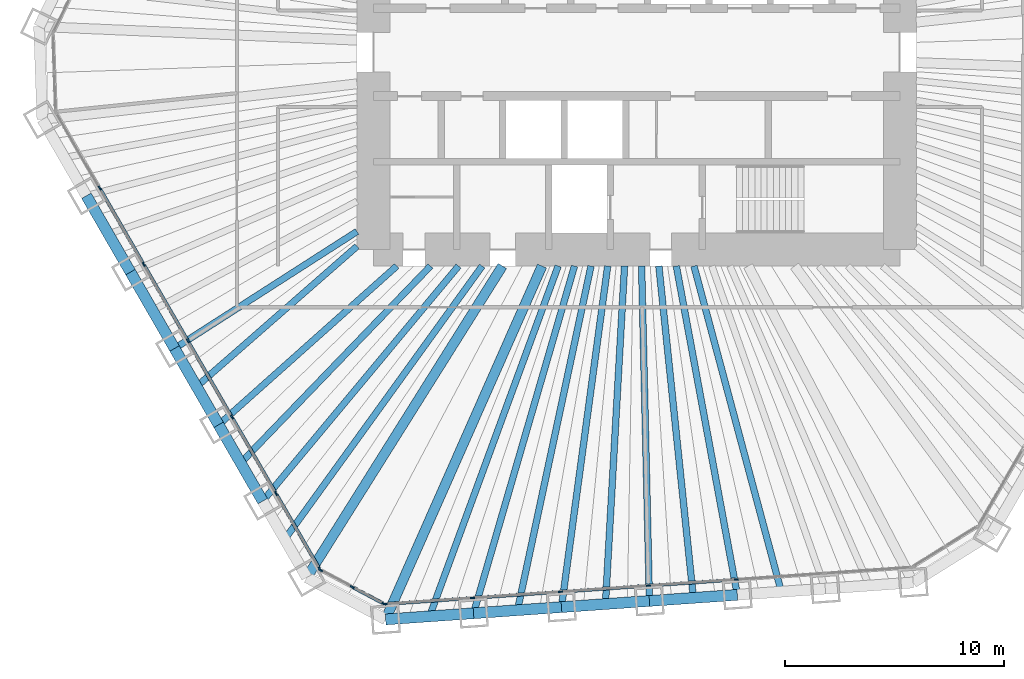
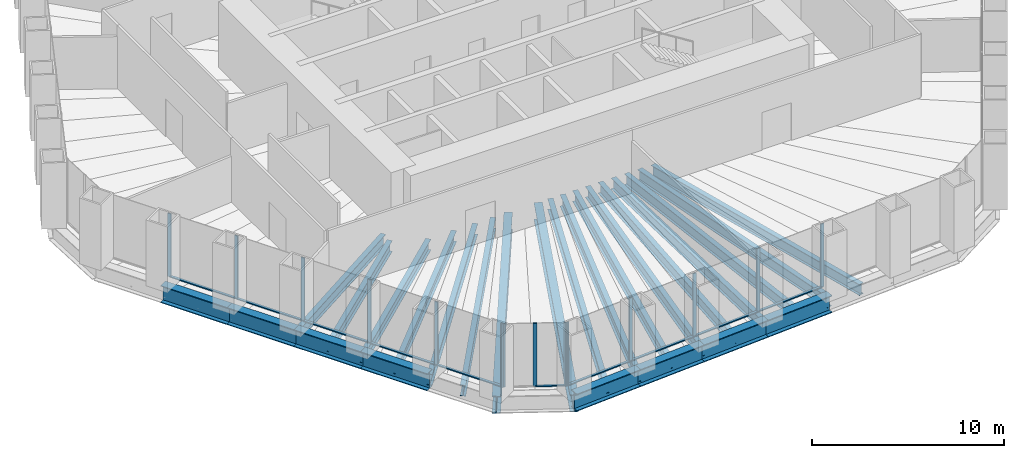
# One storey, part 2 of 13: 25 beams, 24 members, 3 elements without a shape of their own.
"""IFC4 building model written with IfcOpenShell, lengths in metres."""

from ifc_helpers import new_model, si_unit, direction, frame, origin, origin_2d, place, context, subcontext, project, spatial, rectangle, i_section, extrude, material, material_profile, profile_set, type_object, element, aggregate, save


model = new_model("IFC4")

# Units and contexts
model_context = context("Model", 3, precision=1e-05, world=origin(), true_north=direction((0.0, 1.0)))
body_context = subcontext(model_context, "Body", "Model", "MODEL_VIEW")
ifc_project = project(units=[si_unit("LENGTHUNIT", "METRE"), si_unit("AREAUNIT", "SQUARE_METRE"), si_unit("VOLUMEUNIT", "CUBIC_METRE"), si_unit("PLANEANGLEUNIT", "RADIAN"), si_unit("MASSUNIT", "GRAM", prefix="KILO")], contexts=[model_context])

# Site, building, storey
site_placement = place(None, origin())
site = spatial("IfcSite", under=ifc_project, at=site_placement, CompositionType="ELEMENT")
building_placement = place(site_placement, origin())
building = spatial("IfcBuilding", under=site, at=building_placement, Name="Qingtian Harvest Tower", CompositionType="ELEMENT")
storey_placement = place(building_placement, frame((0.0, 0.0, 136.60009765625)))
storey = spatial("IfcBuildingStorey", under=building, at=storey_placement, Name="L28", CompositionType="ELEMENT", Elevation=136.60009765625)

# Beams
ifc_material_1 = material(Name="Steel SM570MC", Category="steel")
ifc_material_profile_1 = material_profile(ifc_material_1, i_section(OverallWidth=0.449951171875, OverallDepth=1.10009765625, WebThickness=0.02197265625, FlangeThickness=0.044921875, at=origin_2d()), Name="H1100x450x22x45")
ifc_profile_set_1 = profile_set([ifc_material_profile_1], Name="Steel SM570MC")
beam_type_1 = type_object("IfcBeamType", Name="Corner floor beam FB8 H1100x450x22x45", PredefinedType="BEAM", material=ifc_profile_set_1)
beam_1_placement = place(storey_placement, frame((-11.445556640625, -25.861328125, -0.72021484375), z_axis=(0.404705702755, 0.914446988161, 0.0), x_axis=(-0.914446988161, 0.404705702755, 0.0)))
element("IfcBeam", 1, at=beam_1_placement, inside=storey, type_object=beam_type_1, Name="Floor beam FB8 S6", PredefinedType="BEAM", context=body_context, shape_type="SweptSolid", body=[
    extrude(i_section(OverallWidth=0.449951171875, OverallDepth=1.10009765625, WebThickness=0.02197265625, FlangeThickness=0.044921875, at=origin_2d()), origin(), (0.0, 0.0, 1.0), 17.61865234375),
])
beam_2_placement = place(storey_placement, frame((-15.039794921875, -23.950439453125, -0.72021484375), z_axis=(0.531797274443, 0.846871689747, 0.0), x_axis=(-0.846871689747, 0.531797274443, 0.0)))
element("IfcBeam", 2, at=beam_2_placement, inside=storey, type_object=beam_type_1, Name="Floor beam FB8 SW0", PredefinedType="BEAM", context=body_context, shape_type="SweptSolid", body=[
    extrude(i_section(OverallWidth=0.449951171875, OverallDepth=1.10009765625, WebThickness=0.02197265625, FlangeThickness=0.044921875, at=origin_2d()), origin(), (0.0, 0.0, 1.0), 16.76806640625),
])
ifc_material_2 = material(Name="Steel SN490B", Category="steel")
ifc_material_profile_2 = material_profile(ifc_material_2, i_section(OverallWidth=0.300048828125, OverallDepth=0.75, WebThickness=0.013916015625, FlangeThickness=0.02490234375, at=origin_2d()), Name="H750x300x14x25")
ifc_profile_set_2 = profile_set([ifc_material_profile_2], Name="Steel SN490B")
beam_type_2 = type_object("IfcBeamType", Name="Floor beam FB12 H750x300x14x25", PredefinedType="BEAM", material=ifc_profile_set_2)
beam_3_placement = place(storey_placement, frame((-7.436279296875, -25.5810546875, -0.545166015625), z_axis=(0.279142362954, 0.960249728562, 0.0), x_axis=(-0.960249728562, 0.279142362954, 0.0)))
element("IfcBeam", 3, at=beam_3_placement, inside=storey, type_object=beam_type_2, Name="Floor beam FB12 S5", PredefinedType="BEAM", context=body_context, shape_type="SweptSolid", body=[
    extrude(i_section(OverallWidth=0.300048828125, OverallDepth=0.75, WebThickness=0.013916015625, FlangeThickness=0.02490234375, at=origin_2d()), origin(), (0.0, 0.0, 1.0), 16.486328125),
])
ifc_material_3 = material(Name="Steel SN490B", Category="steel")
ifc_material_profile_3 = material_profile(ifc_material_3, i_section(OverallWidth=0.300048828125, OverallDepth=0.699951171875, WebThickness=0.012939453125, FlangeThickness=0.02392578125, at=origin_2d()), Name="H700x300x13x24")
ifc_profile_set_3 = profile_set([ifc_material_profile_3], Name="Steel SN490B")
beam_type_3 = type_object("IfcBeamType", Name="Floor beam FB2 H700x300x13x24", PredefinedType="BEAM", material=ifc_profile_set_3)
beam_4_placement = place(storey_placement, frame((4.591552734375, -24.739990234375, -0.52001953125), z_axis=(-0.182473442032, 0.983210782565, 0.0), x_axis=(-0.983210782565, -0.182473442032, 0.0)))
element("IfcBeam", 4, at=beam_4_placement, inside=storey, type_object=beam_type_3, Name="Floor beam FB2 S2", PredefinedType="BEAM", context=body_context, shape_type="SweptSolid", body=[
    extrude(i_section(OverallWidth=0.300048828125, OverallDepth=0.699951171875, WebThickness=0.012939453125, FlangeThickness=0.02392578125, at=origin_2d()), origin(), (0.0, 0.0, 1.0), 15.245849609375),
])
beam_5_placement = place(storey_placement, frame((0.582275390625, -25.020263671875, -0.52001953125), z_axis=(-0.023272189962, 0.999729165912, 0.0), x_axis=(-0.999729165912, -0.023272189962, 0.0)))
element("IfcBeam", 5, at=beam_5_placement, inside=storey, type_object=beam_type_3, Name="Floor beam FB2 S3", PredefinedType="BEAM", context=body_context, shape_type="SweptSolid", body=[
    extrude(i_section(OverallWidth=0.300048828125, OverallDepth=0.699951171875, WebThickness=0.012939453125, FlangeThickness=0.02392578125, at=origin_2d()), origin(), (0.0, 0.0, 1.0), 15.2744140625),
])
beam_6_placement = place(storey_placement, frame((-3.427001953125, -25.30078125, -0.52001953125), z_axis=(0.134230066005, 0.990950195207, 0.0), x_axis=(-0.990950195207, 0.134230066005, 0.0)))
element("IfcBeam", 6, at=beam_6_placement, inside=storey, type_object=beam_type_3, Name="Floor beam FB2 S4", PredefinedType="BEAM", context=body_context, shape_type="SweptSolid", body=[
    extrude(i_section(OverallWidth=0.300048828125, OverallDepth=0.699951171875, WebThickness=0.012939453125, FlangeThickness=0.02392578125, at=origin_2d()), origin(), (0.0, 0.0, 1.0), 15.69287109375),
])
beam_7_placement = place(storey_placement, frame((-17.04931640625, -20.4697265625, -0.52001953125), z_axis=(0.639988150605, 0.768384778015, 0.0), x_axis=(-0.768384778015, 0.639988150605, 0.0)))
element("IfcBeam", 7, at=beam_7_placement, inside=storey, type_object=beam_type_3, Name="Floor beam FB2 SW1", PredefinedType="BEAM", context=body_context, shape_type="SweptSolid", body=[
    extrude(i_section(OverallWidth=0.300048828125, OverallDepth=0.699951171875, WebThickness=0.012939453125, FlangeThickness=0.02392578125, at=origin_2d()), origin(), (0.0, 0.0, 1.0), 13.950927734375),
])
beam_8_placement = place(storey_placement, frame((-19.058837890625, -16.989013671875, -0.52001953125), z_axis=(0.746483707908, 0.665403692376, 0.0), x_axis=(-0.665403692376, 0.746483707908, 0.0)))
element("IfcBeam", 8, at=beam_8_placement, inside=storey, type_object=beam_type_3, Name="Floor beam FB2 SW2", PredefinedType="BEAM", context=body_context, shape_type="SweptSolid", body=[
    extrude(i_section(OverallWidth=0.300048828125, OverallDepth=0.699951171875, WebThickness=0.012939453125, FlangeThickness=0.02392578125, at=origin_2d()), origin(), (0.0, 0.0, 1.0), 10.879150390625),
])
beam_9_placement = place(storey_placement, frame((-21.068359375, -13.508544921875, -0.52001953125), z_axis=(0.841823295753, 0.539753220211, 0.0), x_axis=(-0.539753220211, 0.841823295753, 0.0)))
element("IfcBeam", 9, at=beam_9_placement, inside=storey, type_object=beam_type_3, Name="Floor beam FB2 SW3", PredefinedType="BEAM", context=body_context, shape_type="SweptSolid", body=[
    extrude(i_section(OverallWidth=0.300048828125, OverallDepth=0.699951171875, WebThickness=0.012939453125, FlangeThickness=0.02392578125, at=origin_2d()), origin(), (0.0, 0.0, 1.0), 9.88134765625),
])
ifc_material_4 = material(Name="Steel SN490B", Category="steel")
ifc_material_profile_4 = material_profile(ifc_material_4, i_section(OverallWidth=0.300048828125, OverallDepth=0.699951171875, WebThickness=0.012939453125, FlangeThickness=0.02392578125, at=origin_2d()), Name="H700x300x13x24")
ifc_profile_set_4 = profile_set([ifc_material_profile_4], Name="Steel SN490B")
beam_type_4 = type_object("IfcBeamType", Name="Floor joist J2 H700x300x13x24", PredefinedType="JOIST", material=ifc_profile_set_4)
beam_10_placement = place(storey_placement, frame((6.59619140625, -24.599853515625, -0.52001953125), z_axis=(-0.258996688759, 0.965878209306, 0.0), x_axis=(-0.965878209306, -0.258996688759, 0.0)))
element("IfcBeam", 10, at=beam_10_placement, inside=storey, type_object=beam_type_4, Name="Floor joist J2 S1", PredefinedType="JOIST", context=body_context, shape_type="SweptSolid", body=[
    extrude(i_section(OverallWidth=0.300048828125, OverallDepth=0.699951171875, WebThickness=0.012939453125, FlangeThickness=0.02392578125, at=origin_2d()), origin(), (0.0, 0.0, 1.0), 15.37451171875),
])
beam_11_placement = place(storey_placement, frame((2.5869140625, -24.880126953125, -0.52001953125), z_axis=(-0.103423163361, 0.994637446148, 0.0), x_axis=(-0.994637446148, -0.103423163361, 0.0)))
element("IfcBeam", 11, at=beam_11_placement, inside=storey, type_object=beam_type_4, Name="Floor joist J2 S2", PredefinedType="JOIST", context=body_context, shape_type="SweptSolid", body=[
    extrude(i_section(OverallWidth=0.300048828125, OverallDepth=0.699951171875, WebThickness=0.012939453125, FlangeThickness=0.02392578125, at=origin_2d()), origin(), (0.0, 0.0, 1.0), 15.211669921875),
])
beam_12_placement = place(storey_placement, frame((-1.42236328125, -25.160400390625, -0.52001953125), z_axis=(0.05643626267, 0.998406204035, 0.0), x_axis=(-0.998406204035, 0.05643626267, 0.0)))
element("IfcBeam", 12, at=beam_12_placement, inside=storey, type_object=beam_type_4, Name="Floor joist J2 S3", PredefinedType="JOIST", context=body_context, shape_type="SweptSolid", body=[
    extrude(i_section(OverallWidth=0.300048828125, OverallDepth=0.699951171875, WebThickness=0.012939453125, FlangeThickness=0.02392578125, at=origin_2d()), origin(), (0.0, 0.0, 1.0), 15.43505859375),
])
beam_13_placement = place(storey_placement, frame((-5.431640625, -25.44091796875, -0.52001953125), z_axis=(0.208799533611, 0.977958462699, 0.0), x_axis=(-0.977958462699, 0.208799533611, 0.0)))
element("IfcBeam", 13, at=beam_13_placement, inside=storey, type_object=beam_type_4, Name="Floor joist J2 S4", PredefinedType="JOIST", context=body_context, shape_type="SweptSolid", body=[
    extrude(i_section(OverallWidth=0.300048828125, OverallDepth=0.699951171875, WebThickness=0.012939453125, FlangeThickness=0.02392578125, at=origin_2d()), origin(), (0.0, 0.0, 1.0), 16.044677734375),
])
beam_14_placement = place(storey_placement, frame((-9.44091796875, -25.72119140625, -0.52001953125), z_axis=(0.344563279886, 0.938763093732, 0.0), x_axis=(-0.938763093732, 0.344563279886, 0.0)))
element("IfcBeam", 14, at=beam_14_placement, inside=storey, type_object=beam_type_4, Name="Floor joist J2 S5", PredefinedType="JOIST", context=body_context, shape_type="SweptSolid", body=[
    extrude(i_section(OverallWidth=0.300048828125, OverallDepth=0.699951171875, WebThickness=0.012939453125, FlangeThickness=0.02392578125, at=origin_2d()), origin(), (0.0, 0.0, 1.0), 17.012939453125),
])
beam_15_placement = place(storey_placement, frame((-16.04443359375, -22.2099609375, -0.52001953125), z_axis=(0.585581016658, 0.810613886465, 0.0), x_axis=(-0.810613886465, 0.585581016658, 0.0)))
element("IfcBeam", 15, at=beam_15_placement, inside=storey, type_object=beam_type_4, Name="Floor joist J2 SW0", PredefinedType="JOIST", context=body_context, shape_type="SweptSolid", body=[
    extrude(i_section(OverallWidth=0.300048828125, OverallDepth=0.699951171875, WebThickness=0.012939453125, FlangeThickness=0.02392578125, at=origin_2d()), origin(), (0.0, 0.0, 1.0), 15.37109375),
])
beam_16_placement = place(storey_placement, frame((-18.053955078125, -18.7294921875, -0.52001953125), z_axis=(0.693999346894, 0.719975629108, 0.0), x_axis=(-0.719975629108, 0.693999346894, 0.0)))
element("IfcBeam", 16, at=beam_16_placement, inside=storey, type_object=beam_type_4, Name="Floor joist J2 SW1", PredefinedType="JOIST", context=body_context, shape_type="SweptSolid", body=[
    extrude(i_section(OverallWidth=0.300048828125, OverallDepth=0.699951171875, WebThickness=0.012939453125, FlangeThickness=0.02392578125, at=origin_2d()), origin(), (0.0, 0.0, 1.0), 12.471923828125),
])
beam_17_placement = place(storey_placement, frame((-20.063720703125, -15.248779296875, -0.52001953125), z_axis=(0.752618713562, 0.658456583228, 0.0), x_axis=(-0.658456583228, 0.752618713562, 0.0)))
element("IfcBeam", 17, at=beam_17_placement, inside=storey, type_object=beam_type_4, Name="Floor joist J2 SW2", PredefinedType="JOIST", context=body_context, shape_type="SweptSolid", body=[
    extrude(i_section(OverallWidth=0.300048828125, OverallDepth=0.699951171875, WebThickness=0.012939453125, FlangeThickness=0.02392578125, at=origin_2d()), origin(), (0.0, 0.0, 1.0), 9.7177734375),
])

# Curtain wall, members
ifc_material_5 = material(Name="Bronze-anodised aluminium curtain wall", Category="aluminium")
curtain_wall_type = type_object("IfcCurtainWallType", Name="Curtain wall CW4 office", PredefinedType="USERDEFINED", material=ifc_material_5)
curtain_wall_1_placement = place(storey_placement, origin())
curtain_wall_1 = element("IfcCurtainWall", 18, at=curtain_wall_1_placement, inside=storey, type_object=curtain_wall_type, Name="Curtain wall CW4 L28 S0-5", ObjectType="RECESSED CURTAIN WALL", PredefinedType="USERDEFINED")
ifc_material_6 = material(Name="Bronze-anodised aluminium mullion", Category="aluminium")
ifc_material_profile_5 = material_profile(ifc_material_6, rectangle(XDim=0.06494140625, YDim=0.199951171875, at=origin_2d()), Name="AL 65x200")
ifc_profile_set_5 = profile_set([ifc_material_profile_5], Name="Bronze-anodised aluminium mullion")
member_type_1 = type_object("IfcMemberType", Name="Mullion CWM 65x200", PredefinedType="MULLION", material=ifc_profile_set_5)
member_1_placement = place(storey_placement, frame((4.542724609375, -24.041748046875, 0.0), z_axis=(0.0, 0.0, 1.0), x_axis=(0.069756473744, -0.99756405026, 0.0)))
member_1 = element("IfcMember", 19, at=member_1_placement, type_object=member_type_1, Name="CW4 mullion 3", PredefinedType="MULLION", context=body_context, shape_type="SweptSolid", body=[
    extrude(rectangle(XDim=0.06494140625, YDim=0.199951171875, at=origin_2d()), origin(), (0.0, 0.0, 1.0), 4.02978515625),
])
member_2_placement = place(storey_placement, frame((0.533447265625, -24.322021484375, 0.0), z_axis=(0.0, 0.0, 1.0), x_axis=(0.069756473744, -0.99756405026, 0.0)))
member_2 = element("IfcMember", 20, at=member_2_placement, type_object=member_type_1, Name="CW4 mullion 4", PredefinedType="MULLION", context=body_context, shape_type="SweptSolid", body=[
    extrude(rectangle(XDim=0.06494140625, YDim=0.199951171875, at=origin_2d()), origin(), (0.0, 0.0, 1.0), 4.02978515625),
])
member_3_placement = place(storey_placement, frame((-3.475830078125, -24.602294921875, 0.0), z_axis=(0.0, 0.0, 1.0), x_axis=(0.069756473744, -0.99756405026, 0.0)))
member_3 = element("IfcMember", 21, at=member_3_placement, type_object=member_type_1, Name="CW4 mullion 5", PredefinedType="MULLION", context=body_context, shape_type="SweptSolid", body=[
    extrude(rectangle(XDim=0.06494140625, YDim=0.199951171875, at=origin_2d()), origin(), (0.0, 0.0, 1.0), 4.02978515625),
])
member_4_placement = place(storey_placement, frame((-7.485107421875, -24.8828125, 0.0), z_axis=(0.0, 0.0, 1.0), x_axis=(0.069756473744, -0.99756405026, 0.0)))
member_4 = element("IfcMember", 22, at=member_4_placement, type_object=member_type_1, Name="CW4 mullion 6", PredefinedType="MULLION", context=body_context, shape_type="SweptSolid", body=[
    extrude(rectangle(XDim=0.06494140625, YDim=0.199951171875, at=origin_2d()), origin(), (0.0, 0.0, 1.0), 4.02978515625),
])
member_5_placement = place(storey_placement, frame((-11.4619140625, -25.160888671875, 0.0), z_axis=(0.0, 0.0, 1.0), x_axis=(0.069756473744, -0.99756405026, 0.0)))
member_5 = element("IfcMember", 23, at=member_5_placement, type_object=member_type_1, Name="CW4 mullion 7", PredefinedType="MULLION", context=body_context, shape_type="SweptSolid", body=[
    extrude(rectangle(XDim=0.06494140625, YDim=0.199951171875, at=origin_2d()), origin(), (0.0, 0.0, 1.0), 4.02978515625),
])

curtain_wall_2_placement = place(storey_placement, origin())
curtain_wall_2 = element("IfcCurtainWall", 24, at=curtain_wall_2_placement, inside=storey, type_object=curtain_wall_type, Name="Curtain wall CW4 L28 SC", ObjectType="RECESSED CURTAIN WALL", PredefinedType="USERDEFINED")
member_6_placement = place(storey_placement, frame((-11.523193359375, -25.14794921875, 0.0), z_axis=(0.0, 0.0, 1.0), x_axis=(-0.469471562786, -0.882947592859, 0.0)))
member_6 = element("IfcMember", 25, at=member_6_placement, type_object=member_type_1, Name="CW4 mullion 1", PredefinedType="MULLION", context=body_context, shape_type="SweptSolid", body=[
    extrude(rectangle(XDim=0.06494140625, YDim=0.199951171875, at=origin_2d()), origin(), (0.0, 0.0, 1.0), 4.02978515625),
])
member_7_placement = place(storey_placement, frame((-12.964111328125, -24.3818359375, 0.0), z_axis=(0.0, 0.0, 1.0), x_axis=(-0.469471562786, -0.882947592859, 0.0)))
member_7 = element("IfcMember", 26, at=member_7_placement, type_object=member_type_1, Name="CW4 mullion 2", PredefinedType="MULLION", context=body_context, shape_type="SweptSolid", body=[
    extrude(rectangle(XDim=0.06494140625, YDim=0.199951171875, at=origin_2d()), origin(), (0.0, 0.0, 1.0), 4.02978515625),
])
member_8_placement = place(storey_placement, frame((-14.40478515625, -23.61572265625, 0.0), z_axis=(0.0, 0.0, 1.0), x_axis=(-0.469471562786, -0.882947592859, 0.0)))
member_8 = element("IfcMember", 27, at=member_8_placement, type_object=member_type_1, Name="CW4 mullion 3", PredefinedType="MULLION", context=body_context, shape_type="SweptSolid", body=[
    extrude(rectangle(XDim=0.06494140625, YDim=0.199951171875, at=origin_2d()), origin(), (0.0, 0.0, 1.0), 4.02978515625),
])

curtain_wall_3_placement = place(storey_placement, origin())
curtain_wall_3 = element("IfcCurtainWall", 28, at=curtain_wall_3_placement, inside=storey, type_object=curtain_wall_type, Name="Curtain wall CW4 L28 SW0-5", ObjectType="RECESSED CURTAIN WALL", PredefinedType="USERDEFINED")
member_9_placement = place(storey_placement, frame((-14.44970703125, -23.572265625, 0.0), z_axis=(0.0, 0.0, 1.0), x_axis=(-0.866025403784, -0.5, 0.0)))
member_9 = element("IfcMember", 29, at=member_9_placement, type_object=member_type_1, Name="CW4 mullion 1", PredefinedType="MULLION", context=body_context, shape_type="SweptSolid", body=[
    extrude(rectangle(XDim=0.06494140625, YDim=0.199951171875, at=origin_2d()), origin(), (0.0, 0.0, 1.0), 4.02978515625),
])
member_10_placement = place(storey_placement, frame((-16.443115234375, -20.11962890625, 0.0), z_axis=(0.0, 0.0, 1.0), x_axis=(-0.866025403784, -0.5, 0.0)))
member_10 = element("IfcMember", 30, at=member_10_placement, type_object=member_type_1, Name="CW4 mullion 2", PredefinedType="MULLION", context=body_context, shape_type="SweptSolid", body=[
    extrude(rectangle(XDim=0.06494140625, YDim=0.199951171875, at=origin_2d()), origin(), (0.0, 0.0, 1.0), 4.02978515625),
])
member_11_placement = place(storey_placement, frame((-18.45263671875, -16.63916015625, 0.0), z_axis=(0.0, 0.0, 1.0), x_axis=(-0.866025403784, -0.5, 0.0)))
member_11 = element("IfcMember", 31, at=member_11_placement, type_object=member_type_1, Name="CW4 mullion 3", PredefinedType="MULLION", context=body_context, shape_type="SweptSolid", body=[
    extrude(rectangle(XDim=0.06494140625, YDim=0.199951171875, at=origin_2d()), origin(), (0.0, 0.0, 1.0), 4.02978515625),
])
member_12_placement = place(storey_placement, frame((-20.462158203125, -13.158447265625, 0.0), z_axis=(0.0, 0.0, 1.0), x_axis=(-0.866025403784, -0.5, 0.0)))
member_12 = element("IfcMember", 32, at=member_12_placement, type_object=member_type_1, Name="CW4 mullion 4", PredefinedType="MULLION", context=body_context, shape_type="SweptSolid", body=[
    extrude(rectangle(XDim=0.06494140625, YDim=0.199951171875, at=origin_2d()), origin(), (0.0, 0.0, 1.0), 4.02978515625),
])
member_13_placement = place(storey_placement, frame((-22.4716796875, -9.677978515625, 0.0), z_axis=(0.0, 0.0, 1.0), x_axis=(-0.866025403784, -0.5, 0.0)))
member_13 = element("IfcMember", 33, at=member_13_placement, type_object=member_type_1, Name="CW4 mullion 5", PredefinedType="MULLION", context=body_context, shape_type="SweptSolid", body=[
    extrude(rectangle(XDim=0.06494140625, YDim=0.199951171875, at=origin_2d()), origin(), (0.0, 0.0, 1.0), 4.02978515625),
])
member_14_placement = place(storey_placement, frame((-24.481201171875, -6.197265625, 0.0), z_axis=(0.0, 0.0, 1.0), x_axis=(-0.866025403784, -0.5, 0.0)))
member_14 = element("IfcMember", 34, at=member_14_placement, type_object=member_type_1, Name="CW4 mullion 6", PredefinedType="MULLION", context=body_context, shape_type="SweptSolid", body=[
    extrude(rectangle(XDim=0.06494140625, YDim=0.199951171875, at=origin_2d()), origin(), (0.0, 0.0, 1.0), 4.02978515625),
])

# Beams
ifc_material_7 = material(Name="Steel SM570MC", Category="steel")
ifc_material_profile_6 = material_profile(ifc_material_7, i_section(OverallWidth=0.5, OverallDepth=1.10009765625, WebThickness=0.02490234375, FlangeThickness=0.050048828125, at=origin_2d()), Name="H1100x500x25x50")
ifc_profile_set_6 = profile_set([ifc_material_profile_6], Name="Steel SM570MC")
beam_type_5 = type_object("IfcBeamType", Name="Spandrel beam SB2 H1100x500x25x50", PredefinedType="SPANDREL", material=ifc_profile_set_6)
for number, where, z_axis, x_axis, name in (
    (35, (4.591552734375, -24.739990234375, -0.550048828125), (-0.997565479251, -0.069736035208, 0.0), (0.069736035208, -0.997565479251, 0.0), "Spandrel SB2 S2"),
    (36, (0.582275390625, -25.020263671875, -0.550048828125), (-0.997561251588, -0.069796485086, 0.0), (0.069796485086, -0.997561251588, 0.0), "Spandrel SB2 S3"),
    (37, (-3.427001953125, -25.30078125, -0.550048828125), (-0.997565479251, -0.069736035208, 0.0), (0.069736035208, -0.997565479251, 0.0), "Spandrel SB2 S4"),
    (38, (-7.436279296875, -25.5810546875, -0.550048828125), (-0.997565479251, -0.069736035208, 0.0), (0.069736035208, -0.997565479251, 0.0), "Spandrel SB2 S5"),
    (39, (-17.04931640625, -20.4697265625, -0.550048828125), (-0.499987116613, 0.866032841884, 0.0), (-0.866032841884, -0.499987116613, 0.0), "Spandrel SB2 SW1"),
    (40, (-19.058837890625, -16.989013671875, -0.550048828125), (-0.500013420409, 0.866017655369, 0.0), (-0.866017655369, -0.500013420409, 0.0), "Spandrel SB2 SW2"),
    (41, (-21.068359375, -13.508544921875, -0.550048828125), (-0.499987116613, 0.866032841884, 0.0), (-0.866032841884, -0.499987116613, 0.0), "Spandrel SB2 SW3"),
    (42, (-23.077880859375, -10.02783203125, -0.550048828125), (-0.499987116613, 0.866032841884, 0.0), (-0.866032841884, -0.499987116613, 0.0), "Spandrel SB2 SW4"),
):
    element("IfcBeam", number, at=place(storey_placement, frame(where, z_axis=z_axis, x_axis=x_axis)), inside=storey, type_object=beam_type_5, Name=name, PredefinedType="SPANDREL", context=body_context, shape_type="SweptSolid", body=[
        extrude(i_section(OverallWidth=0.5, OverallDepth=1.10009765625, WebThickness=0.02490234375, FlangeThickness=0.050048828125, at=origin_2d()), origin(), (0.0, 0.0, 1.0), 4.01904296875),
    ])

# Member
ifc_material_8 = material(Name="Bronze-anodised aluminium transom", Category="aluminium")
ifc_material_profile_7 = material_profile(ifc_material_8, rectangle(XDim=0.14990234375, YDim=0.06494140625, at=origin_2d()), Name="AL 65x150")
ifc_profile_set_7 = profile_set([ifc_material_profile_7], Name="Bronze-anodised aluminium transom")
member_type_2 = type_object("IfcMemberType", Name="Transom CWT 65x150", PredefinedType="USERDEFINED", material=ifc_profile_set_7)
member_15_placement = place(storey_placement, frame((4.51025390625, -24.0439453125, 0.032470703125), z_axis=(-0.997562922571, -0.069772598571, 0.0), x_axis=(0.069772598571, -0.997562922571, 0.0)))
member_15 = element("IfcMember", 43, at=member_15_placement, type_object=member_type_2, Name="CW4 transom 3.1", ObjectType="TRANSOM", PredefinedType="USERDEFINED", context=body_context, shape_type="SweptSolid", body=[
    extrude(rectangle(XDim=0.14990234375, YDim=0.06494140625, at=origin_2d()), origin(), (0.0, 0.0, 1.0), 3.953857421875),
])

member_16_placement = place(storey_placement, frame((0.5009765625, -24.32421875, 0.032470703125), z_axis=(-0.997562922571, -0.069772598571, 0.0), x_axis=(0.069772598571, -0.997562922571, 0.0)))
member_16 = element("IfcMember", 44, at=member_16_placement, type_object=member_type_2, Name="CW4 transom 4.1", ObjectType="TRANSOM", PredefinedType="USERDEFINED", context=body_context, shape_type="SweptSolid", body=[
    extrude(rectangle(XDim=0.14990234375, YDim=0.06494140625, at=origin_2d()), origin(), (0.0, 0.0, 1.0), 3.953857421875),
])

member_17_placement = place(storey_placement, frame((-3.50830078125, -24.604736328125, 0.032470703125), z_axis=(-0.997567218353, -0.069711153102, 0.0), x_axis=(0.069711153102, -0.997567218353, 0.0)))
member_17 = element("IfcMember", 45, at=member_17_placement, type_object=member_type_2, Name="CW4 transom 5.1", ObjectType="TRANSOM", PredefinedType="USERDEFINED", context=body_context, shape_type="SweptSolid", body=[
    extrude(rectangle(XDim=0.14990234375, YDim=0.06494140625, at=origin_2d()), origin(), (0.0, 0.0, 1.0), 3.953857421875),
])

member_18_placement = place(storey_placement, frame((-7.517578125, -24.885009765625, 0.032470703125), z_axis=(-0.997561915105, -0.069787001175, 0.0), x_axis=(0.069787001175, -0.997561915105, 0.0)))
member_18 = element("IfcMember", 46, at=member_18_placement, type_object=member_type_2, Name="CW4 transom 6.1", ObjectType="TRANSOM", PredefinedType="USERDEFINED", context=body_context, shape_type="SweptSolid", body=[
    extrude(rectangle(XDim=0.14990234375, YDim=0.06494140625, at=origin_2d()), origin(), (0.0, 0.0, 1.0), 3.921630859375),
])

aggregate(curtain_wall_1, [member_1, member_2, member_3, member_4, member_5, member_15, member_16, member_17, member_18])

member_19_placement = place(storey_placement, frame((-11.5517578125, -25.132568359375, 0.032470703125), z_axis=(-0.882960338349, 0.46944759122, 0.0), x_axis=(-0.46944759122, -0.882960338349, 0.0)))
member_19 = element("IfcMember", 47, at=member_19_placement, type_object=member_type_2, Name="CW4 transom 1.1", ObjectType="TRANSOM", PredefinedType="USERDEFINED", context=body_context, shape_type="SweptSolid", body=[
    extrude(rectangle(XDim=0.14990234375, YDim=0.06494140625, at=origin_2d()), origin(), (0.0, 0.0, 1.0), 1.56689453125),
])

aggregate(curtain_wall_2, [member_6, member_7, member_8, member_19])

member_20_placement = place(storey_placement, frame((-14.466064453125, -23.5439453125, 0.032470703125), z_axis=(-0.500002696854, 0.866023846749, 0.0), x_axis=(-0.866023846749, -0.500002696854, 0.0)))
member_20 = element("IfcMember", 48, at=member_20_placement, type_object=member_type_2, Name="CW4 transom 1.1", ObjectType="TRANSOM", PredefinedType="USERDEFINED", context=body_context, shape_type="SweptSolid", body=[
    extrude(rectangle(XDim=0.14990234375, YDim=0.06494140625, at=origin_2d()), origin(), (0.0, 0.0, 1.0), 3.92138671875),
])

member_21_placement = place(storey_placement, frame((-16.459228515625, -20.091552734375, 0.032470703125), z_axis=(-0.500003941941, 0.866023127892, 0.0), x_axis=(-0.866023127892, -0.500003941941, 0.0)))
member_21 = element("IfcMember", 49, at=member_21_placement, type_object=member_type_2, Name="CW4 transom 2.1", ObjectType="TRANSOM", PredefinedType="USERDEFINED", context=body_context, shape_type="SweptSolid", body=[
    extrude(rectangle(XDim=0.14990234375, YDim=0.06494140625, at=origin_2d()), origin(), (0.0, 0.0, 1.0), 3.9541015625),
])

member_22_placement = place(storey_placement, frame((-18.468994140625, -16.611083984375, 0.032470703125), z_axis=(-0.49993089783, 0.866065296265, 0.0), x_axis=(-0.866065296265, -0.49993089783, 0.0)))
member_22 = element("IfcMember", 50, at=member_22_placement, type_object=member_type_2, Name="CW4 transom 3.1", ObjectType="TRANSOM", PredefinedType="USERDEFINED", context=body_context, shape_type="SweptSolid", body=[
    extrude(rectangle(XDim=0.14990234375, YDim=0.06494140625, at=origin_2d()), origin(), (0.0, 0.0, 1.0), 3.9541015625),
])

member_23_placement = place(storey_placement, frame((-20.478515625, -13.13037109375, 0.032470703125), z_axis=(-0.500003941941, 0.866023127892, 0.0), x_axis=(-0.866023127892, -0.500003941941, 0.0)))
member_23 = element("IfcMember", 51, at=member_23_placement, type_object=member_type_2, Name="CW4 transom 4.1", ObjectType="TRANSOM", PredefinedType="USERDEFINED", context=body_context, shape_type="SweptSolid", body=[
    extrude(rectangle(XDim=0.14990234375, YDim=0.06494140625, at=origin_2d()), origin(), (0.0, 0.0, 1.0), 3.9541015625),
])

member_24_placement = place(storey_placement, frame((-22.488037109375, -9.649658203125, 0.032470703125), z_axis=(-0.500003941941, 0.866023127892, 0.0), x_axis=(-0.866023127892, -0.500003941941, 0.0)))
member_24 = element("IfcMember", 52, at=member_24_placement, type_object=member_type_2, Name="CW4 transom 5.1", ObjectType="TRANSOM", PredefinedType="USERDEFINED", context=body_context, shape_type="SweptSolid", body=[
    extrude(rectangle(XDim=0.14990234375, YDim=0.06494140625, at=origin_2d()), origin(), (0.0, 0.0, 1.0), 3.9541015625),
])

aggregate(curtain_wall_3, [member_9, member_10, member_11, member_12, member_13, member_14, member_20, member_21, member_22, member_23, member_24])

save(model, "model.ifc")
